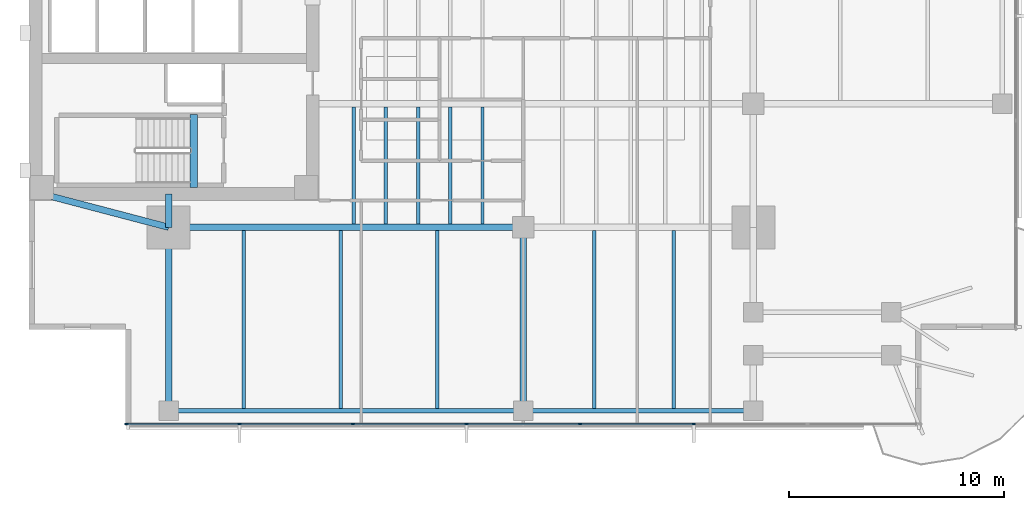
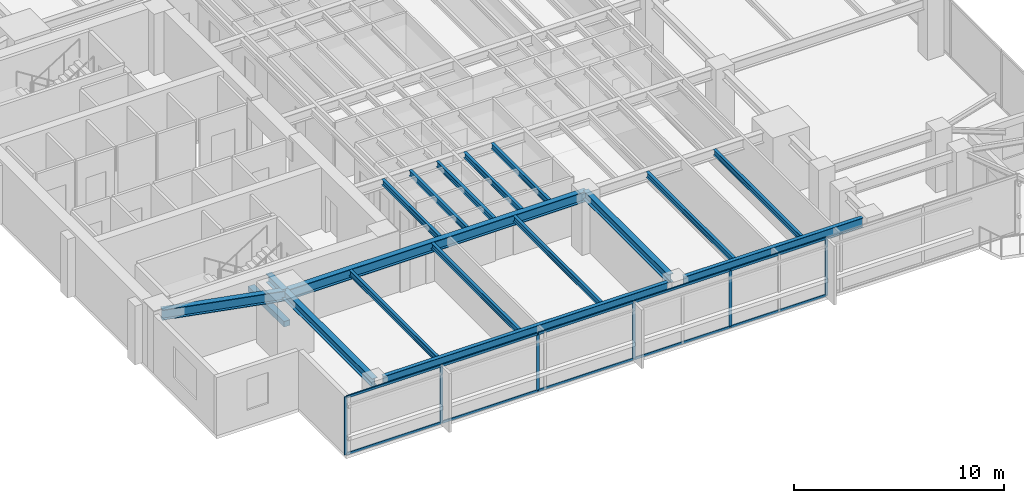
# One storey, part 2 of 14: 18 beams, 16 members, 1 element without a shape of its own.
"""IFC4 building model written with IfcOpenShell, lengths in metres."""

from ifc_helpers import new_model, si_unit, direction, frame, origin, origin_2d, place, context, subcontext, project, spatial, rectangle, i_section, extrude, material, layer, layer_set, material_profile, profile_set, type_object, element, aggregate, save


model = new_model("IFC4")

# Units and contexts
model_context = context("Model", 3, precision=1e-05, world=origin(), true_north=direction((0.0, 1.0)))
body_context = subcontext(model_context, "Body", "Model", "MODEL_VIEW")
ifc_project = project(units=[si_unit("LENGTHUNIT", "METRE"), si_unit("AREAUNIT", "SQUARE_METRE"), si_unit("VOLUMEUNIT", "CUBIC_METRE"), si_unit("PLANEANGLEUNIT", "RADIAN"), si_unit("MASSUNIT", "GRAM", prefix="KILO")], contexts=[model_context])

# Site, building, storey
site_placement = place(None, origin())
site = spatial("IfcSite", under=ifc_project, at=site_placement, CompositionType="ELEMENT")
building_placement = place(site_placement, origin())
building = spatial("IfcBuilding", under=site, at=building_placement, Name="Kinhvarn Gate Tower", CompositionType="ELEMENT")
storey_placement = place(building_placement, frame((0.0, 0.0, 130.64990234375)))
storey = spatial("IfcBuildingStorey", under=building, at=storey_placement, Name="L34", CompositionType="ELEMENT", Elevation=130.64990234375)

# Beam
ifc_material_1 = material(Name="Concrete C50/60", Category="concrete")
ifc_material_profile_1 = material_profile(ifc_material_1, rectangle(XDim=0.340087890625, YDim=0.320068359375, at=origin_2d()), Name="RC 340x320")
ifc_profile_set_1 = profile_set([ifc_material_profile_1], Name="Concrete C50/60")
beam_type_1 = type_object("IfcBeamType", Name="BM-LND-500", PredefinedType="BEAM", material=ifc_profile_set_1)
beam_1_placement = place(storey_placement, frame((12.1650390625, 14.60009765625, -0.159912109375), z_axis=(0.0, 1.0, 0.0), x_axis=(-1.0, 0.0, 0.0)))
element("IfcBeam", 1, at=beam_1_placement, inside=storey, type_object=beam_type_1, Name="Stair ST1 Landing Nosing Beam (L34)", PredefinedType="BEAM", context=body_context, shape_type="SweptSolid", body=[
    extrude(rectangle(XDim=0.340087890625, YDim=0.320068359375, at=origin_2d()), origin(), (0.0, 0.0, 1.0), 3.39990234375),
])

# Curtain wall, members
ifc_material_2 = material(Name="Anodised aluminium AW-6063", Category="aluminium")
ifc_layer = layer(ifc_material_2, 0.179931640625)
ifc_layer_set = layer_set([ifc_layer], Name="Anodised aluminium AW-6063")
curtain_wall_type = type_object("IfcCurtainWallType", Name="CW-SYS-3", PredefinedType="NOTDEFINED", material=ifc_layer_set)
curtain_wall_placement = place(storey_placement, origin())
curtain_wall = element("IfcCurtainWall", 2, at=curtain_wall_placement, inside=storey, type_object=curtain_wall_type, Name="Curtain Wall CW3 (L34)", PredefinedType="NOTDEFINED")
ifc_material_profile_2 = material_profile(ifc_material_2, rectangle(XDim=0.06494140625, YDim=0.159912109375, at=origin_2d()), Name="ALU 65x160")
ifc_profile_set_2 = profile_set([ifc_material_profile_2], Name="Anodised aluminium AW-6063")
member_type_1 = type_object("IfcMemberType", Name="CW-MUL-160", PredefinedType="MULLION", material=ifc_profile_set_2)
member_1_placement = place(storey_placement, frame((9.032470703125, 3.590087890625, 0.0), z_axis=(0.0, 0.0, 1.0), x_axis=(0.0, 1.0, 0.0)))
member_1 = element("IfcMember", 3, at=member_1_placement, type_object=member_type_1, Name="CW3 mullion 1", PredefinedType="MULLION", context=body_context, shape_type="SweptSolid", body=[
    extrude(rectangle(XDim=0.06494140625, YDim=0.159912109375, at=origin_2d()), origin(), (0.0, 0.0, 1.0), 3.3701171875),
])
member_2_placement = place(storey_placement, frame((14.28564453125, 3.590087890625, 0.0), z_axis=(0.0, 0.0, 1.0), x_axis=(0.0, 1.0, 0.0)))
member_2 = element("IfcMember", 4, at=member_2_placement, type_object=member_type_1, Name="CW3 mullion 2", PredefinedType="MULLION", context=body_context, shape_type="SweptSolid", body=[
    extrude(rectangle(XDim=0.06494140625, YDim=0.159912109375, at=origin_2d()), origin(), (0.0, 0.0, 1.0), 3.3701171875),
])
member_3_placement = place(storey_placement, frame((19.571533203125, 3.590087890625, 0.0), z_axis=(0.0, 0.0, 1.0), x_axis=(0.0, 1.0, 0.0)))
member_3 = element("IfcMember", 5, at=member_3_placement, type_object=member_type_1, Name="CW3 mullion 3", PredefinedType="MULLION", context=body_context, shape_type="SweptSolid", body=[
    extrude(rectangle(XDim=0.06494140625, YDim=0.159912109375, at=origin_2d()), origin(), (0.0, 0.0, 1.0), 3.3701171875),
])
member_4_placement = place(storey_placement, frame((24.857177734375, 3.590087890625, 0.0), z_axis=(0.0, 0.0, 1.0), x_axis=(0.0, 1.0, 0.0)))
member_4 = element("IfcMember", 6, at=member_4_placement, type_object=member_type_1, Name="CW3 mullion 4", PredefinedType="MULLION", context=body_context, shape_type="SweptSolid", body=[
    extrude(rectangle(XDim=0.06494140625, YDim=0.159912109375, at=origin_2d()), origin(), (0.0, 0.0, 1.0), 3.3701171875),
])
member_5_placement = place(storey_placement, frame((30.142822265625, 3.590087890625, 0.0), z_axis=(0.0, 0.0, 1.0), x_axis=(0.0, 1.0, 0.0)))
member_5 = element("IfcMember", 7, at=member_5_placement, type_object=member_type_1, Name="CW3 mullion 5", PredefinedType="MULLION", context=body_context, shape_type="SweptSolid", body=[
    extrude(rectangle(XDim=0.06494140625, YDim=0.159912109375, at=origin_2d()), origin(), (0.0, 0.0, 1.0), 3.3701171875),
])
member_6_placement = place(storey_placement, frame((35.428466796875, 3.590087890625, 0.0), z_axis=(0.0, 0.0, 1.0), x_axis=(0.0, 1.0, 0.0)))
member_6 = element("IfcMember", 8, at=member_6_placement, type_object=member_type_1, Name="CW3 mullion 6", PredefinedType="MULLION", context=body_context, shape_type="SweptSolid", body=[
    extrude(rectangle(XDim=0.06494140625, YDim=0.159912109375, at=origin_2d()), origin(), (0.0, 0.0, 1.0), 3.3701171875),
])
ifc_material_profile_3 = material_profile(ifc_material_2, rectangle(XDim=0.070068359375, YDim=0.139892578125, at=origin_2d()), Name="ALU 70x140")
ifc_profile_set_3 = profile_set([ifc_material_profile_3], Name="Anodised aluminium AW-6063")
member_type_2 = type_object("IfcMemberType", Name="CW-TRN-140", PredefinedType="USERDEFINED", material=ifc_profile_set_3)
member_7_placement = place(storey_placement, frame((9.06494140625, 3.590087890625, 0.03515625), z_axis=(1.0, 0.0, 0.0), x_axis=(0.0, 1.0, 0.0)))
member_7 = element("IfcMember", 9, at=member_7_placement, type_object=member_type_2, Name="CW3 transom 1.1", ObjectType="TRANSOM", PredefinedType="USERDEFINED", context=body_context, shape_type="SweptSolid", body=[
    extrude(rectangle(XDim=0.070068359375, YDim=0.139892578125, at=origin_2d()), origin(), (0.0, 0.0, 1.0), 5.188232421875),
])
member_8_placement = place(storey_placement, frame((9.06494140625, 3.590087890625, 3.335205078125), z_axis=(1.0, 0.0, 0.0), x_axis=(0.0, 1.0, 0.0)))
member_8 = element("IfcMember", 10, at=member_8_placement, type_object=member_type_2, Name="CW3 transom 1.2", ObjectType="TRANSOM", PredefinedType="USERDEFINED", context=body_context, shape_type="SweptSolid", body=[
    extrude(rectangle(XDim=0.070068359375, YDim=0.139892578125, at=origin_2d()), origin(), (0.0, 0.0, 1.0), 5.188232421875),
])
member_9_placement = place(storey_placement, frame((14.318115234375, 3.590087890625, 0.03515625), z_axis=(1.0, 0.0, 0.0), x_axis=(0.0, 1.0, 0.0)))
member_9 = element("IfcMember", 11, at=member_9_placement, type_object=member_type_2, Name="CW3 transom 2.1", ObjectType="TRANSOM", PredefinedType="USERDEFINED", context=body_context, shape_type="SweptSolid", body=[
    extrude(rectangle(XDim=0.070068359375, YDim=0.139892578125, at=origin_2d()), origin(), (0.0, 0.0, 1.0), 5.220703125),
])
member_10_placement = place(storey_placement, frame((14.318115234375, 3.590087890625, 3.335205078125), z_axis=(1.0, 0.0, 0.0), x_axis=(0.0, 1.0, 0.0)))
member_10 = element("IfcMember", 12, at=member_10_placement, type_object=member_type_2, Name="CW3 transom 2.2", ObjectType="TRANSOM", PredefinedType="USERDEFINED", context=body_context, shape_type="SweptSolid", body=[
    extrude(rectangle(XDim=0.070068359375, YDim=0.139892578125, at=origin_2d()), origin(), (0.0, 0.0, 1.0), 5.220703125),
])
member_11_placement = place(storey_placement, frame((19.60400390625, 3.590087890625, 0.03515625), z_axis=(1.0, 0.0, 0.0), x_axis=(0.0, 1.0, 0.0)))
member_11 = element("IfcMember", 13, at=member_11_placement, type_object=member_type_2, Name="CW3 transom 3.1", ObjectType="TRANSOM", PredefinedType="USERDEFINED", context=body_context, shape_type="SweptSolid", body=[
    extrude(rectangle(XDim=0.070068359375, YDim=0.139892578125, at=origin_2d()), origin(), (0.0, 0.0, 1.0), 5.220703125),
])
member_12_placement = place(storey_placement, frame((19.60400390625, 3.590087890625, 3.335205078125), z_axis=(1.0, 0.0, 0.0), x_axis=(0.0, 1.0, 0.0)))
member_12 = element("IfcMember", 14, at=member_12_placement, type_object=member_type_2, Name="CW3 transom 3.2", ObjectType="TRANSOM", PredefinedType="USERDEFINED", context=body_context, shape_type="SweptSolid", body=[
    extrude(rectangle(XDim=0.070068359375, YDim=0.139892578125, at=origin_2d()), origin(), (0.0, 0.0, 1.0), 5.220703125),
])
member_13_placement = place(storey_placement, frame((24.8896484375, 3.590087890625, 0.03515625), z_axis=(1.0, 0.0, 0.0), x_axis=(0.0, 1.0, 0.0)))
member_13 = element("IfcMember", 15, at=member_13_placement, type_object=member_type_2, Name="CW3 transom 4.1", ObjectType="TRANSOM", PredefinedType="USERDEFINED", context=body_context, shape_type="SweptSolid", body=[
    extrude(rectangle(XDim=0.070068359375, YDim=0.139892578125, at=origin_2d()), origin(), (0.0, 0.0, 1.0), 5.220703125),
])
member_14_placement = place(storey_placement, frame((24.8896484375, 3.590087890625, 3.335205078125), z_axis=(1.0, 0.0, 0.0), x_axis=(0.0, 1.0, 0.0)))
member_14 = element("IfcMember", 16, at=member_14_placement, type_object=member_type_2, Name="CW3 transom 4.2", ObjectType="TRANSOM", PredefinedType="USERDEFINED", context=body_context, shape_type="SweptSolid", body=[
    extrude(rectangle(XDim=0.070068359375, YDim=0.139892578125, at=origin_2d()), origin(), (0.0, 0.0, 1.0), 5.220703125),
])
member_15_placement = place(storey_placement, frame((30.17529296875, 3.590087890625, 0.03515625), z_axis=(1.0, 0.0, 0.0), x_axis=(0.0, 1.0, 0.0)))
member_15 = element("IfcMember", 17, at=member_15_placement, type_object=member_type_2, Name="CW3 transom 5.1", ObjectType="TRANSOM", PredefinedType="USERDEFINED", context=body_context, shape_type="SweptSolid", body=[
    extrude(rectangle(XDim=0.070068359375, YDim=0.139892578125, at=origin_2d()), origin(), (0.0, 0.0, 1.0), 5.220703125),
])
member_16_placement = place(storey_placement, frame((30.17529296875, 3.590087890625, 3.335205078125), z_axis=(1.0, 0.0, 0.0), x_axis=(0.0, 1.0, 0.0)))
member_16 = element("IfcMember", 18, at=member_16_placement, type_object=member_type_2, Name="CW3 transom 5.2", ObjectType="TRANSOM", PredefinedType="USERDEFINED", context=body_context, shape_type="SweptSolid", body=[
    extrude(rectangle(XDim=0.070068359375, YDim=0.139892578125, at=origin_2d()), origin(), (0.0, 0.0, 1.0), 5.220703125),
])
aggregate(curtain_wall, [member_1, member_2, member_3, member_4, member_5, member_6, member_7, member_8, member_9, member_10, member_11, member_12, member_13, member_14, member_15, member_16])

# Beams
ifc_material_3 = material(Name="Steel S355", Category="steel")
ifc_material_profile_4 = material_profile(ifc_material_3, i_section(OverallWidth=0.300048828125, OverallDepth=0.5, WebThickness=0.014404296875, FlangeThickness=0.028076171875, at=origin_2d()), Name="HEB 500")
ifc_profile_set_4 = profile_set([ifc_material_profile_4], Name="Steel S355")
beam_type_2 = type_object("IfcBeamType", Name="STL-HEB500", PredefinedType="BEAM", material=ifc_profile_set_4)
beam_2_placement = place(storey_placement, frame((11.0, 4.219970703125, 3.1201171875), z_axis=(0.0, 1.0, 0.0), x_axis=(-1.0, 0.0, 0.0)))
element("IfcBeam", 19, at=beam_2_placement, inside=storey, type_object=beam_type_2, Name="Floor Beam PG-14 (L34 MCW-S)", PredefinedType="BEAM", context=body_context, shape_type="SweptSolid", body=[
    extrude(i_section(OverallWidth=0.300048828125, OverallDepth=0.5, WebThickness=0.014404296875, FlangeThickness=0.028076171875, at=origin_2d()), origin(), (0.0, 0.0, 1.0), 8.530029296875),
])
beam_3_placement = place(storey_placement, frame((11.0, 12.75, 3.1201171875), z_axis=(0.0, 1.0, 0.0), x_axis=(-1.0, 0.0, 0.0)))
element("IfcBeam", 20, at=beam_3_placement, inside=storey, type_object=beam_type_2, Name="Floor Beam PG-14 (L34 MCW-CS)", PredefinedType="BEAM", context=body_context, shape_type="SweptSolid", body=[
    extrude(i_section(OverallWidth=0.300048828125, OverallDepth=0.5, WebThickness=0.014404296875, FlangeThickness=0.028076171875, at=origin_2d()), origin(), (0.0, 0.0, 1.0), 1.550048828125),
])
beam_4_placement = place(storey_placement, frame((27.5, 4.655029296875, 3.1201171875), z_axis=(0.0, 1.0, 0.0), x_axis=(-1.0, 0.0, 0.0)))
element("IfcBeam", 21, at=beam_4_placement, inside=storey, type_object=beam_type_2, Name="Floor Beam PG-14 (L34 SP27-S-TIE)", PredefinedType="BEAM", context=body_context, shape_type="SweptSolid", body=[
    extrude(i_section(OverallWidth=0.300048828125, OverallDepth=0.5, WebThickness=0.014404296875, FlangeThickness=0.028076171875, at=origin_2d()), origin(), (0.0, 0.0, 1.0), 8.094970703125),
])
ifc_material_profile_5 = material_profile(ifc_material_3, i_section(OverallWidth=0.300048828125, OverallDepth=0.60009765625, WebThickness=0.015380859375, FlangeThickness=0.030029296875, at=origin_2d()), Name="HEB 600")
ifc_profile_set_5 = profile_set([ifc_material_profile_5], Name="Steel S355")
beam_type_3 = type_object("IfcBeamType", Name="STL-HEB600", PredefinedType="BEAM", material=ifc_profile_set_5)
beam_5_placement = place(storey_placement, frame((11.0, 12.75, 3.070068359375), z_axis=(1.0, 0.0, 0.0), x_axis=(0.0, 1.0, 0.0)))
element("IfcBeam", 22, at=beam_5_placement, inside=storey, type_object=beam_type_3, Name="Floor Beam PG-16 (L34 MG-S1)", PredefinedType="BEAM", context=body_context, shape_type="SweptSolid", body=[
    extrude(i_section(OverallWidth=0.300048828125, OverallDepth=0.60009765625, WebThickness=0.015380859375, FlangeThickness=0.030029296875, at=origin_2d()), origin(), (0.0, 0.0, 1.0), 16.5),
])
beam_6_placement = place(storey_placement, frame((5.10009765625, 14.300048828125, 3.070068359375), z_axis=(0.967177623957, -0.254101246979, 0.0), x_axis=(0.254101246979, 0.967177623957, 0.0)))
element("IfcBeam", 23, at=beam_6_placement, inside=storey, type_object=beam_type_3, Name="Floor Beam PG-16 (L34 MG-SW-DIAG)", PredefinedType="BEAM", context=body_context, shape_type="SweptSolid", body=[
    extrude(i_section(OverallWidth=0.300048828125, OverallDepth=0.60009765625, WebThickness=0.015380859375, FlangeThickness=0.030029296875, at=origin_2d()), origin(), (0.0, 0.0, 1.0), 6.10009765625),
])
ifc_material_profile_6 = material_profile(ifc_material_3, i_section(OverallWidth=0.159912109375, OverallDepth=0.330078125, WebThickness=0.007568359375, FlangeThickness=0.011474609375, at=origin_2d()), Name="IPE 330")
ifc_profile_set_6 = profile_set([ifc_material_profile_6], Name="Steel S355")
beam_type_4 = type_object("IfcBeamType", Name="STL-IPE330", PredefinedType="JOIST", material=ifc_profile_set_6)
for number, where, z_axis, x_axis, name in (
    (24, (19.60009765625, 12.89990234375, 3.205078125), (0.0, 1.0, 0.0), (-1.0, 0.0, 0.0), "Floor Joist SB-03 (L34 JC-X196-0)"),
    (25, (21.10009765625, 12.89990234375, 3.205078125), (0.0, 1.0, 0.0), (-1.0, 0.0, 0.0), "Floor Joist SB-03 (L34 JC-X211-0)"),
    (26, (22.60009765625, 12.89990234375, 3.205078125), (0.0, 1.0, 0.0), (-1.0, 0.0, 0.0), "Floor Joist SB-03 (L34 JC-X226-0)"),
    (27, (24.10009765625, 12.89990234375, 3.205078125), (0.0, 1.0, 0.0), (-1.0, 0.0, 0.0), "Floor Joist SB-03 (L34 JC-X241-0)"),
    (28, (25.60009765625, 12.89990234375, 3.205078125), (0.0, 1.0, 0.0), (-1.0, 0.0, 0.0), "Floor Joist SB-03 (L34 JC-X256-0)"),
):
    element("IfcBeam", number, at=place(storey_placement, frame(where, z_axis=z_axis, x_axis=x_axis)), inside=storey, type_object=beam_type_4, Name=name, PredefinedType="JOIST", context=body_context, shape_type="SweptSolid", body=[
        extrude(i_section(OverallWidth=0.159912109375, OverallDepth=0.330078125, WebThickness=0.007568359375, FlangeThickness=0.011474609375, at=origin_2d()), origin(), (0.0, 0.0, 1.0), 5.4501953125),
    ])
for number, where, z_axis, x_axis, name in (
    (29, (14.5, 4.324951171875, 3.205078125), (0.0, 1.0, 0.0), (-1.0, 0.0, 0.0), "Floor Joist SB-03 (L34 JS-X145)"),
    (30, (19.0, 4.324951171875, 3.205078125), (0.0, 1.0, 0.0), (-1.0, 0.0, 0.0), "Floor Joist SB-03 (L34 JS-X190)"),
    (31, (23.5, 4.324951171875, 3.205078125), (0.0, 1.0, 0.0), (-1.0, 0.0, 0.0), "Floor Joist SB-03 (L34 JS-X235)"),
    (32, (30.800048828125, 4.324951171875, 3.205078125), (0.0, 1.0, 0.0), (-1.0, 0.0, 0.0), "Floor Joist SB-03 (L34 JS-X308)"),
    (33, (34.5, 4.324951171875, 3.205078125), (0.0, 1.0, 0.0), (-1.0, 0.0, 0.0), "Floor Joist SB-03 (L34 JS-X345)"),
):
    element("IfcBeam", number, at=place(storey_placement, frame(where, z_axis=z_axis, x_axis=x_axis)), inside=storey, type_object=beam_type_4, Name=name, PredefinedType="JOIST", context=body_context, shape_type="SweptSolid", body=[
        extrude(i_section(OverallWidth=0.159912109375, OverallDepth=0.330078125, WebThickness=0.007568359375, FlangeThickness=0.011474609375, at=origin_2d()), origin(), (0.0, 0.0, 1.0), 8.275146484375),
    ])
ifc_material_profile_7 = material_profile(ifc_material_3, i_section(OverallWidth=0.2099609375, OverallDepth=0.550048828125, WebThickness=0.010986328125, FlangeThickness=0.01708984375, at=origin_2d()), Name="IPE 550")
ifc_profile_set_7 = profile_set([ifc_material_profile_7], Name="Steel S355")
beam_type_5 = type_object("IfcBeamType", Name="STL-IPE550", PredefinedType="SPANDREL", material=ifc_profile_set_7)
beam_7_placement = place(storey_placement, frame((11.43505859375, 4.219970703125, 3.09521484375), z_axis=(1.0, 0.0, 0.0), x_axis=(0.0, 1.0, 0.0)))
element("IfcBeam", 34, at=beam_7_placement, inside=storey, type_object=beam_type_5, Name="Floor Spandrel SB-08 (L34 SP-S1)", PredefinedType="SPANDREL", context=body_context, shape_type="SweptSolid", body=[
    extrude(i_section(OverallWidth=0.2099609375, OverallDepth=0.550048828125, WebThickness=0.010986328125, FlangeThickness=0.01708984375, at=origin_2d()), origin(), (0.0, 0.0, 1.0), 15.6298828125),
])
beam_8_placement = place(storey_placement, frame((27.93505859375, 4.219970703125, 3.09521484375), z_axis=(1.0, 0.0, 0.0), x_axis=(0.0, 1.0, 0.0)))
element("IfcBeam", 35, at=beam_8_placement, inside=storey, type_object=beam_type_5, Name="Floor Spandrel SB-08 (L34 SP-S2)", PredefinedType="SPANDREL", context=body_context, shape_type="SweptSolid", body=[
    extrude(i_section(OverallWidth=0.2099609375, OverallDepth=0.550048828125, WebThickness=0.010986328125, FlangeThickness=0.01708984375, at=origin_2d()), origin(), (0.0, 0.0, 1.0), 9.829833984375),
])

save(model, "model.ifc")
